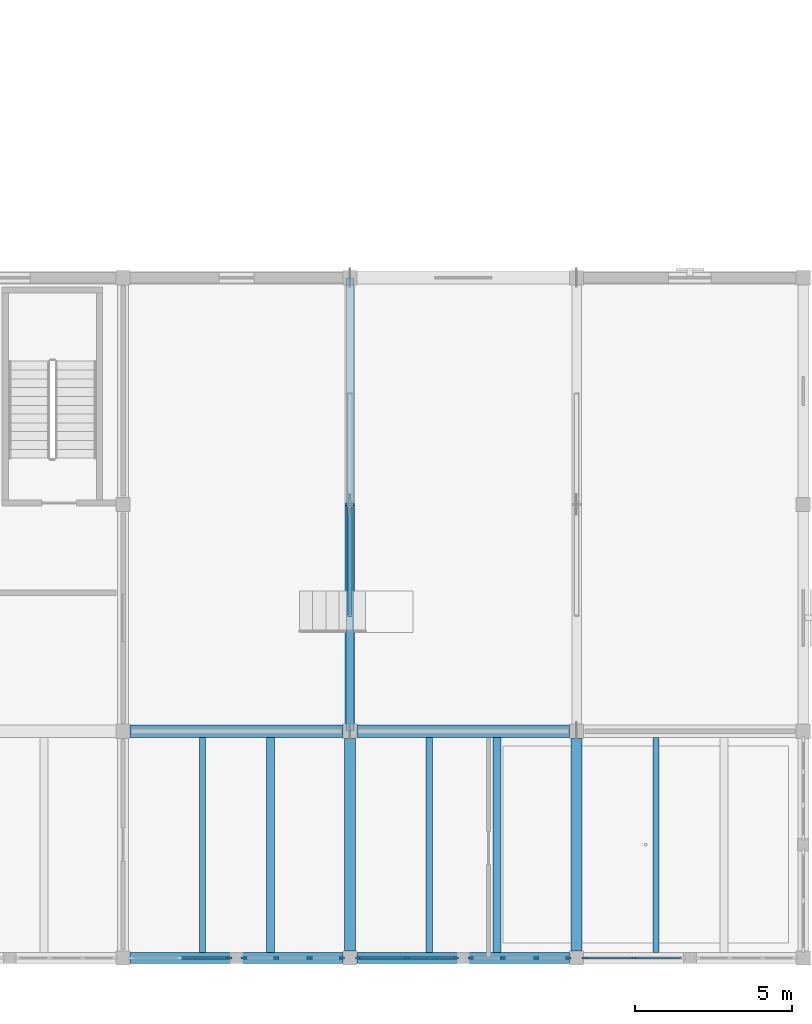
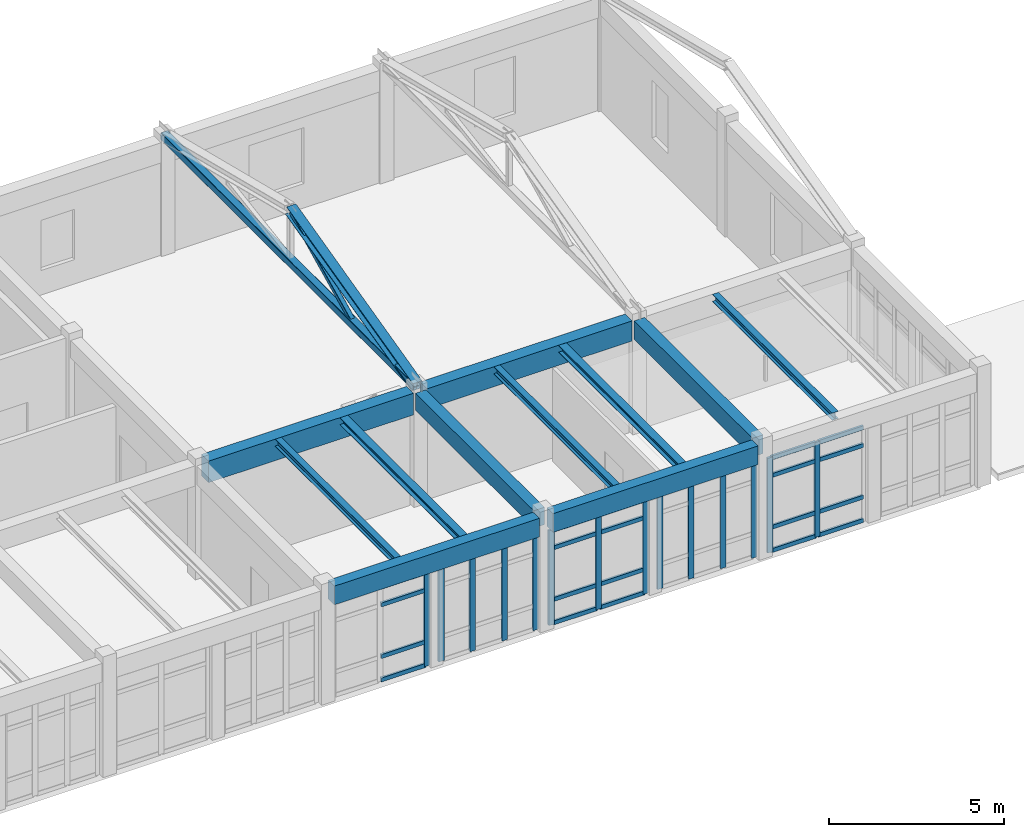
# One storey, part 8 of 136: 37 members, 11 beams, 5 elements without a shape of their own.
"""IFC4 building model written with IfcOpenShell, lengths in metres."""

import ifcopenshell
import ifcopenshell.guid

model = None  # the IFC model being written
_history = None  # IfcOwnerHistory: only IFC2X3 demands one
_inside = {}  # id of a spatial element -> (the spatial element, [elements in it])
_under = {}  # id of a project, library or spatial element -> (it, [spatial elements below it])
_declared = {}  # id of a project -> (the project, [libraries it declares])
_typed = {}  # id of a type object -> (the type object, [elements of that type])
_made_of = {}  # id of a material, layer set ... -> (it, [elements and type objects made of it])


def new_model(schema):
    """Start an empty IFC model of exactly this schema.

    Asked for "IFC4X3", IfcOpenShell would pick the latest addendum, in which some entities
    have other attributes; the version numbers below select the first issue.
    IFC2X3 requires an IfcOwnerHistory on every rooted entity: one is made here for all.
    """
    global model, _history
    if schema == "IFC4X3":
        model = ifcopenshell.file(schema_version=(4, 3, 0, 0))
    else:
        model = ifcopenshell.file(schema=schema)
    _inside.clear()
    _under.clear()
    _declared.clear()
    _typed.clear()
    _made_of.clear()
    _history = None
    if model.schema == "IFC2X3":
        org = make("IfcOrganization", Name="unknown")
        user = make(
            "IfcPersonAndOrganization",
            ThePerson=make("IfcPerson", FamilyName="unknown"),
            TheOrganization=org,
        )
        app = make(
            "IfcApplication",
            ApplicationDeveloper=org,
            Version="unknown",
            ApplicationFullName="unknown",
            ApplicationIdentifier="unknown",
        )
        _history = make(
            "IfcOwnerHistory",
            OwningUser=user,
            OwningApplication=app,
            ChangeAction="ADDED",
            CreationDate=0,
        )
    return model


def make(cls, **values):
    """One entity of the class cls with the attributes given. An attribute that is None is left unset."""
    return model.create_entity(
        cls, **{name: value for name, value in values.items() if value is not None}
    )


def rooted(cls, **values):
    """An entity with a GlobalId (a new one), such as an element, a storey or a relation."""
    return make(cls, GlobalId=ifcopenshell.guid.new(), OwnerHistory=_history, **values)


def si_unit(unit_type, name, prefix=None):
    """IfcSIUnit, for example si_unit("LENGTHUNIT", "METRE", prefix="MILLI")."""
    return make("IfcSIUnit", UnitType=unit_type, Prefix=prefix, Name=name)


def assignment(units):
    """IfcUnitAssignment: the units of a project."""
    return None if units is None else make("IfcUnitAssignment", Units=units)


def point(xyz):
    """IfcCartesianPoint."""
    return None if xyz is None else make("IfcCartesianPoint", Coordinates=xyz)


def direction(xyz):
    """IfcDirection."""
    return None if xyz is None else make("IfcDirection", DirectionRatios=xyz)


def frame(location, z_axis=None, x_axis=None):
    """IfcAxis2Placement3D, a coordinate frame: its origin and axes. An axis left out is left unset."""
    return make(
        "IfcAxis2Placement3D",
        Location=point(location),
        Axis=direction(z_axis),
        RefDirection=direction(x_axis),
    )


def frame_2d(location, x_axis=None):
    """IfcAxis2Placement2D, a coordinate frame in the plane: its origin and x axis."""
    return make(
        "IfcAxis2Placement2D", Location=point(location), RefDirection=direction(x_axis)
    )


def origin():
    """The frame at (0, 0, 0) with its axes left unset."""
    return frame((0.0, 0.0, 0.0))


def origin_2d():
    """The frame at (0, 0) in the plane with its x axis left unset."""
    return frame_2d((0.0, 0.0))


def place(relative_to, where):
    """IfcLocalPlacement: puts the frame where relative to a parent placement (None: the world)."""
    return make(
        "IfcLocalPlacement", PlacementRelTo=relative_to, RelativePlacement=where
    )


def context(
    kind, dimensions, precision=None, world=None, true_north=None, identifier=None
):
    """IfcGeometricRepresentationContext, for example the 3D "Model" context."""
    return make(
        "IfcGeometricRepresentationContext",
        ContextIdentifier=identifier,
        ContextType=kind,
        CoordinateSpaceDimension=dimensions,
        Precision=precision,
        WorldCoordinateSystem=world,
        TrueNorth=true_north,
    )


def subcontext(parent, identifier, kind, view, scale=None):
    """IfcGeometricRepresentationSubContext, for example "Body" below "Model"."""
    return make(
        "IfcGeometricRepresentationSubContext",
        ContextIdentifier=identifier,
        ContextType=kind,
        ParentContext=parent,
        TargetScale=scale,
        TargetView=view,
    )


def project(units=None, contexts=None):
    """IfcProject with its units and contexts."""
    return rooted(
        "IfcProject",
        Name="project",
        RepresentationContexts=contexts,
        UnitsInContext=assignment(units),
    )


def spatial(cls, under=None, at=None, **own):
    """A site, building, storey or space (cls), placed at a placement, below another one or the project."""
    s = rooted(cls, ObjectPlacement=at, **own)
    if under is not None:
        _under.setdefault(under.id(), (under, []))[1].append(s)
    return s


def profile(cls, at=None, kind="AREA", **sizes):
    """A parametric profile (cls). Its sizes go by their IFC names, for example OverallWidth=200.0."""
    return make(cls, ProfileType=kind, Position=at, **sizes)


def rectangle(**sizes):
    """IfcRectangleProfileDef."""
    return profile("IfcRectangleProfileDef", **sizes)


def hollow_rectangle(**sizes):
    """IfcRectangleHollowProfileDef."""
    return profile("IfcRectangleHollowProfileDef", **sizes)


def i_section(**sizes):
    """IfcIShapeProfileDef."""
    return profile("IfcIShapeProfileDef", **sizes)


def extrude(swept, where, along, depth):
    """IfcExtrudedAreaSolid: the profile swept, set in the frame where, extruded along a direction by depth."""
    return make(
        "IfcExtrudedAreaSolid",
        SweptArea=swept,
        Position=where,
        ExtrudedDirection=direction(along),
        Depth=depth,
    )


def shape(context_of_items, identifier, shape_type, items):
    """IfcShapeRepresentation: the items that make up one representation, for example the "Body"."""
    return make(
        "IfcShapeRepresentation",
        ContextOfItems=context_of_items,
        RepresentationIdentifier=identifier,
        RepresentationType=shape_type,
        Items=items,
    )


def material(Name=None, Category=None):
    """IfcMaterial."""
    return make("IfcMaterial", Name=Name, Category=Category)


def layer(
    of_material, thickness, ventilated=None, Name=None, Category=None, Priority=None
):
    """IfcMaterialLayer: one layer of a wall or slab, of a material (None: an air gap)."""
    return make(
        "IfcMaterialLayer",
        Material=of_material,
        LayerThickness=thickness,
        IsVentilated=ventilated,
        Name=Name,
        Category=Category,
        Priority=Priority,
    )


def layer_set(layers, Name=None):
    """IfcMaterialLayerSet."""
    return make("IfcMaterialLayerSet", MaterialLayers=layers, LayerSetName=Name)


def material_profile(
    of_material, cross_section, Name=None, Category=None, Priority=None
):
    """IfcMaterialProfile: a cross section and its material."""
    return make(
        "IfcMaterialProfile",
        Name=Name,
        Material=of_material,
        Profile=cross_section,
        Priority=Priority,
        Category=Category,
    )


def profile_set(profiles, Name=None, composite=None):
    """IfcMaterialProfileSet."""
    return make(
        "IfcMaterialProfileSet",
        Name=Name,
        MaterialProfiles=profiles,
        CompositeProfile=composite,
    )


def made_of(thing, what):
    """Note that an element or type object is made of a material, layer set ...; save() writes the relation."""
    if what is not None:
        _made_of.setdefault(what.id(), (what, []))[1].append(thing)
    return thing


def type_object(cls, material=None, **own):
    """A type object (cls), such as IfcWallType, which elements share."""
    return made_of(rooted(cls, **own), material)


def element(
    cls,
    number,
    at=None,
    inside=None,
    cuts=None,
    type_object=None,
    material=None,
    context=None,
    identifier="Body",
    shape_type=None,
    held_by="IfcProductDefinitionShape",
    body=None,
    shapes=None,
    **own,
):
    """One element of the class cls, such as IfcWall. Its Tag is "e" and its number.

    at: its placement. inside: the storey or other place that contains it. cuts: it is an
    opening in that element (IfcRelVoidsElement). A single representation is given by context,
    identifier, shape_type and body (its items); several are given by shapes. held_by: the class
    of the entity that holds the representations. save() writes the other relations.
    """
    e = rooted(cls, Tag="e%d" % number, ObjectPlacement=at, **own)
    if body is not None:
        shapes = [shape(context, identifier, shape_type, body)]
    if shapes is not None:
        e.Representation = make(held_by, Representations=shapes)
    if inside is not None:
        _inside.setdefault(inside.id(), (inside, []))[1].append(e)
    if cuts is not None:
        rooted(
            "IfcRelVoidsElement", RelatingBuildingElement=cuts, RelatedOpeningElement=e
        )
    if type_object is not None:
        _typed.setdefault(type_object.id(), (type_object, []))[1].append(e)
    return made_of(e, material)


def aggregate(whole, parts):
    """IfcRelAggregates: a whole, such as a stair, and the parts it consists of."""
    return rooted("IfcRelAggregates", RelatingObject=whole, RelatedObjects=parts)


def save(model, path):
    """Write the relations noted so far, then the file.

    IfcRelAggregates (storeys below a building ...), IfcRelContainedInSpatialStructure (elements
    in a storey), IfcRelDefinesByType, IfcRelAssociatesMaterial and IfcRelDeclares: one each for
    every whole, place, type object, material and project.
    """
    for whole, parts in _under.values():
        aggregate(whole, parts)
    for where, things in _inside.values():
        rooted(
            "IfcRelContainedInSpatialStructure",
            RelatedElements=things,
            RelatingStructure=where,
        )
    for kind, things in _typed.values():
        rooted("IfcRelDefinesByType", RelatedObjects=things, RelatingType=kind)
    for what, things in _made_of.values():
        rooted("IfcRelAssociatesMaterial", RelatedObjects=things, RelatingMaterial=what)
    for by, libraries in _declared.values():
        rooted("IfcRelDeclares", RelatingContext=by, RelatedDefinitions=libraries)
    model.write(path)


model = new_model("IFC4")

# Units and contexts
model_context = context("Model", 3, precision=1e-05, world=origin(), true_north=direction((0.0, 1.0)))
body_context = subcontext(model_context, "Body", "Model", "MODEL_VIEW")
ifc_project = project(units=[si_unit("LENGTHUNIT", "METRE"), si_unit("AREAUNIT", "SQUARE_METRE"), si_unit("VOLUMEUNIT", "CUBIC_METRE"), si_unit("PLANEANGLEUNIT", "RADIAN"), si_unit("MASSUNIT", "GRAM", prefix="KILO")], contexts=[model_context])

# Site, building, storey
site_placement = place(None, origin())
site = spatial("IfcSite", under=ifc_project, at=site_placement, CompositionType="ELEMENT")
building_placement = place(site_placement, origin())
building = spatial("IfcBuilding", under=site, at=building_placement, Name="Koriwan Promenade Central Fire Station", CompositionType="ELEMENT")
storey_placement = place(building_placement, frame((0.0, 0.0, 5.39990234375)))
storey = spatial("IfcBuildingStorey", under=building, at=storey_placement, Name="L01", CompositionType="ELEMENT", Elevation=5.39990234375)

# Beams
ifc_material_1 = material(Name="Concrete C35/45", Category="concrete")
ifc_material_profile_1 = material_profile(ifc_material_1, rectangle(XDim=0.35009765625, YDim=0.60009765625, at=origin_2d()), Name="RC-BM-350x600")
ifc_profile_set_1 = profile_set([ifc_material_profile_1], Name="Concrete C35/45")
beam_type_1 = type_object("IfcBeamType", Name="Beam_RC-BM-350x600", PredefinedType="BEAM", material=ifc_profile_set_1)
beam_1_placement = place(storey_placement, frame((21.60009765625, 0.22509765625, 3.66015625), z_axis=(0.0, 1.0, 0.0), x_axis=(-1.0, 0.0, 0.0)))
element("IfcBeam", 1, at=beam_1_placement, inside=storey, type_object=beam_type_1, Name="V3 L01 girder Y-294", PredefinedType="BEAM", context=body_context, shape_type="SweptSolid", body=[
    extrude(rectangle(XDim=0.35009765625, YDim=0.60009765625, at=origin_2d()), origin(), (0.0, 0.0, 1.0), 6.75),
])
ifc_material_profile_2 = material_profile(ifc_material_1, rectangle(XDim=0.35009765625, YDim=0.64990234375, at=origin_2d()), Name="RC-BM-350x650")
ifc_profile_set_2 = profile_set([ifc_material_profile_2], Name="Concrete C35/45")
beam_type_2 = type_object("IfcBeamType", Name="Beam_RC-BM-350x650", PredefinedType="BEAM", material=ifc_profile_set_2)
beam_2_placement = place(storey_placement, frame((28.800048828125, 0.22509765625, 3.635009765625), z_axis=(0.0, 1.0, 0.0), x_axis=(-1.0, 0.0, 0.0)))
element("IfcBeam", 2, at=beam_2_placement, inside=storey, type_object=beam_type_2, Name="V3 L01 girder Y-295", PredefinedType="BEAM", context=body_context, shape_type="SweptSolid", body=[
    extrude(rectangle(XDim=0.35009765625, YDim=0.64990234375, at=origin_2d()), origin(), (0.0, 0.0, 1.0), 6.75),
])
ifc_material_profile_3 = material_profile(ifc_material_1, rectangle(XDim=0.39990234375, YDim=0.699951171875, at=origin_2d()), Name="RC-BM-400x700")
ifc_profile_set_3 = profile_set([ifc_material_profile_3], Name="Concrete C35/45")
beam_type_3 = type_object("IfcBeamType", Name="Beam_RC-BM-400x700", PredefinedType="BEAM", material=ifc_profile_set_3)
beam_3_placement = place(storey_placement, frame((21.824951171875, 7.199951171875, 3.610107421875), z_axis=(1.0, 0.0, 0.0), x_axis=(0.0, 1.0, 0.0)))
element("IfcBeam", 3, at=beam_3_placement, inside=storey, type_object=beam_type_3, Name="V3 L01 girder X-278", PredefinedType="BEAM", context=body_context, shape_type="SweptSolid", body=[
    extrude(rectangle(XDim=0.39990234375, YDim=0.699951171875, at=origin_2d()), origin(), (0.0, 0.0, 1.0), 6.75),
])
ifc_material_profile_4 = material_profile(ifc_material_1, rectangle(XDim=0.39990234375, YDim=0.75, at=origin_2d()), Name="RC-BM-400x750")
ifc_profile_set_4 = profile_set([ifc_material_profile_4], Name="Concrete C35/45")
beam_type_4 = type_object("IfcBeamType", Name="Beam_RC-BM-400x750", PredefinedType="BEAM", material=ifc_profile_set_4)
beam_4_placement = place(storey_placement, frame((14.625, 7.199951171875, 3.585205078125), z_axis=(1.0, 0.0, 0.0), x_axis=(0.0, 1.0, 0.0)))
element("IfcBeam", 4, at=beam_4_placement, inside=storey, type_object=beam_type_4, Name="V3 L01 girder X-277", PredefinedType="BEAM", context=body_context, shape_type="SweptSolid", body=[
    extrude(rectangle(XDim=0.39990234375, YDim=0.75, at=origin_2d()), origin(), (0.0, 0.0, 1.0), 6.75),
])
ifc_material_profile_5 = material_profile(ifc_material_1, rectangle(XDim=0.35009765625, YDim=0.64990234375, at=origin_2d()), Name="RC-SP-350x650")
ifc_profile_set_5 = profile_set([ifc_material_profile_5], Name="Concrete C35/45")
beam_type_5 = type_object("IfcBeamType", Name="Beam_RC-SP-350x650", PredefinedType="SPANDREL", material=ifc_profile_set_5)
for number, where, z_axis, x_axis, name in (
    (5, (14.625, 0.0, 3.635009765625), (1.0, 0.0, 0.0), (0.0, 1.0, 0.0), "V3 L01 girder X-272"),
    (6, (21.824951171875, 0.0, 3.635009765625), (1.0, 0.0, 0.0), (0.0, 1.0, 0.0), "V3 L01 girder X-273"),
):
    element("IfcBeam", number, at=place(storey_placement, frame(where, z_axis=z_axis, x_axis=x_axis)), inside=storey, type_object=beam_type_5, Name=name, PredefinedType="SPANDREL", context=body_context, shape_type="SweptSolid", body=[
        extrude(rectangle(XDim=0.35009765625, YDim=0.64990234375, at=origin_2d()), origin(), (0.0, 0.0, 1.0), 6.75),
    ])

# Curtain wall, member
ifc_material_2 = material(Name="Aluminium EN AW-6063-T6 and low-E glazing", Category="aluminium")
ifc_layer_1 = layer(ifc_material_2, 0.159912109375, Name="Aluminium EN AW-6063-T6 and low-E glazing")
ifc_layer_set_1 = layer_set([ifc_layer_1], Name="Aluminium EN AW-6063-T6 and low-E glazing")
curtain_wall_type_1 = type_object("IfcCurtainWallType", Name="CurtainWall_30_318x330", PredefinedType="USERDEFINED", material=ifc_layer_set_1)
curtain_wall_1_placement = place(storey_placement, origin())
curtain_wall_1 = element("IfcCurtainWall", 7, at=curtain_wall_1_placement, inside=storey, type_object=curtain_wall_type_1, Name="V3 L01 unitised curtain wall 075", ObjectType="UNITISED CURTAIN WALL", PredefinedType="USERDEFINED")
ifc_material_3 = material(Name="Aluminium EN AW-6063-T6", Category="aluminium")
ifc_material_profile_6 = material_profile(ifc_material_3, rectangle(XDim=0.074951171875, YDim=0.179931640625, at=origin_2d()), Name="ALU-MUL-75x180")
ifc_profile_set_6 = profile_set([ifc_material_profile_6], Name="Aluminium EN AW-6063-T6")
member_type_1 = type_object("IfcMemberType", Name="CWMullion_ALU-MUL-75x180", PredefinedType="MULLION", material=ifc_profile_set_6)
member_1_placement = place(storey_placement, frame((17.762451171875, 0.0, 0.0), z_axis=(0.0, 0.0, 1.0), x_axis=(0.0, 1.0, 0.0)))
member_1 = element("IfcMember", 8, at=member_1_placement, type_object=member_type_1, Name="CW-30 mullion 3", PredefinedType="MULLION", context=body_context, shape_type="SweptSolid", body=[
    extrude(rectangle(XDim=0.074951171875, YDim=0.179931640625, at=origin_2d()), origin(), (0.0, 0.0, 1.0), 3.300048828125),
])

# Curtain wall, members
ifc_layer_2 = layer(ifc_material_2, 0.159912109375, Name="Aluminium EN AW-6063-T6 and low-E glazing")
ifc_layer_set_2 = layer_set([ifc_layer_2], Name="Aluminium EN AW-6063-T6 and low-E glazing")
curtain_wall_type_2 = type_object("IfcCurtainWallType", Name="CurtainWall_31_318x330", PredefinedType="USERDEFINED", material=ifc_layer_set_2)
curtain_wall_2_placement = place(storey_placement, origin())
curtain_wall_2 = element("IfcCurtainWall", 9, at=curtain_wall_2_placement, inside=storey, type_object=curtain_wall_type_2, Name="V3 L01 unitised curtain wall 076", ObjectType="UNITISED CURTAIN WALL", PredefinedType="USERDEFINED")
member_2_placement = place(storey_placement, frame((18.237548828125, 0.0, 0.0), z_axis=(0.0, 0.0, 1.0), x_axis=(0.0, 1.0, 0.0)))
member_2 = element("IfcMember", 10, at=member_2_placement, type_object=member_type_1, Name="CW-31 mullion 1", PredefinedType="MULLION", context=body_context, shape_type="SweptSolid", body=[
    extrude(rectangle(XDim=0.074951171875, YDim=0.179931640625, at=origin_2d()), origin(), (0.0, 0.0, 1.0), 3.300048828125),
])
member_3_placement = place(storey_placement, frame((19.25830078125, 0.0, 0.0), z_axis=(0.0, 0.0, 1.0), x_axis=(0.0, 1.0, 0.0)))
member_3 = element("IfcMember", 11, at=member_3_placement, type_object=member_type_1, Name="CW-31 mullion 2", PredefinedType="MULLION", context=body_context, shape_type="SweptSolid", body=[
    extrude(rectangle(XDim=0.074951171875, YDim=0.179931640625, at=origin_2d()), origin(), (0.0, 0.0, 1.0), 3.300048828125),
])
member_4_placement = place(storey_placement, frame((20.316650390625, 0.0, 0.0), z_axis=(0.0, 0.0, 1.0), x_axis=(0.0, 1.0, 0.0)))
member_4 = element("IfcMember", 12, at=member_4_placement, type_object=member_type_1, Name="CW-31 mullion 3", PredefinedType="MULLION", context=body_context, shape_type="SweptSolid", body=[
    extrude(rectangle(XDim=0.074951171875, YDim=0.179931640625, at=origin_2d()), origin(), (0.0, 0.0, 1.0), 3.300048828125),
])
member_5_placement = place(storey_placement, frame((21.33740234375, 0.0, 0.0), z_axis=(0.0, 0.0, 1.0), x_axis=(0.0, 1.0, 0.0)))
member_5 = element("IfcMember", 13, at=member_5_placement, type_object=member_type_1, Name="CW-31 mullion 4", PredefinedType="MULLION", context=body_context, shape_type="SweptSolid", body=[
    extrude(rectangle(XDim=0.074951171875, YDim=0.179931640625, at=origin_2d()), origin(), (0.0, 0.0, 1.0), 3.300048828125),
])
aggregate(curtain_wall_2, [member_2, member_3, member_4, member_5])

curtain_wall_3_placement = place(storey_placement, origin())
curtain_wall_3 = element("IfcCurtainWall", 14, at=curtain_wall_3_placement, inside=storey, type_object=curtain_wall_type_1, Name="V3 L01 unitised curtain wall 077", ObjectType="UNITISED CURTAIN WALL", PredefinedType="USERDEFINED")
member_6_placement = place(storey_placement, frame((21.862548828125, 0.0, 0.0), z_axis=(0.0, 0.0, 1.0), x_axis=(0.0, 1.0, 0.0)))
member_6 = element("IfcMember", 15, at=member_6_placement, type_object=member_type_1, Name="CW-30 mullion 1", PredefinedType="MULLION", context=body_context, shape_type="SweptSolid", body=[
    extrude(rectangle(XDim=0.074951171875, YDim=0.179931640625, at=origin_2d()), origin(), (0.0, 0.0, 1.0), 3.300048828125),
])
member_7_placement = place(storey_placement, frame((23.41259765625, 0.0, 0.0), z_axis=(0.0, 0.0, 1.0), x_axis=(0.0, 1.0, 0.0)))
member_7 = element("IfcMember", 16, at=member_7_placement, type_object=member_type_1, Name="CW-30 mullion 2", PredefinedType="MULLION", context=body_context, shape_type="SweptSolid", body=[
    extrude(rectangle(XDim=0.074951171875, YDim=0.179931640625, at=origin_2d()), origin(), (0.0, 0.0, 1.0), 3.300048828125),
])
member_8_placement = place(storey_placement, frame((24.96240234375, 0.0, 0.0), z_axis=(0.0, 0.0, 1.0), x_axis=(0.0, 1.0, 0.0)))
member_8 = element("IfcMember", 17, at=member_8_placement, type_object=member_type_1, Name="CW-30 mullion 3", PredefinedType="MULLION", context=body_context, shape_type="SweptSolid", body=[
    extrude(rectangle(XDim=0.074951171875, YDim=0.179931640625, at=origin_2d()), origin(), (0.0, 0.0, 1.0), 3.300048828125),
])

curtain_wall_4_placement = place(storey_placement, origin())
curtain_wall_4 = element("IfcCurtainWall", 18, at=curtain_wall_4_placement, inside=storey, type_object=curtain_wall_type_2, Name="V3 L01 unitised curtain wall 078", ObjectType="UNITISED CURTAIN WALL", PredefinedType="USERDEFINED")
member_9_placement = place(storey_placement, frame((25.4375, 0.0, 0.0), z_axis=(0.0, 0.0, 1.0), x_axis=(0.0, 1.0, 0.0)))
member_9 = element("IfcMember", 19, at=member_9_placement, type_object=member_type_1, Name="CW-31 mullion 1", PredefinedType="MULLION", context=body_context, shape_type="SweptSolid", body=[
    extrude(rectangle(XDim=0.074951171875, YDim=0.179931640625, at=origin_2d()), origin(), (0.0, 0.0, 1.0), 3.300048828125),
])
member_10_placement = place(storey_placement, frame((26.458251953125, 0.0, 0.0), z_axis=(0.0, 0.0, 1.0), x_axis=(0.0, 1.0, 0.0)))
member_10 = element("IfcMember", 20, at=member_10_placement, type_object=member_type_1, Name="CW-31 mullion 2", PredefinedType="MULLION", context=body_context, shape_type="SweptSolid", body=[
    extrude(rectangle(XDim=0.074951171875, YDim=0.179931640625, at=origin_2d()), origin(), (0.0, 0.0, 1.0), 3.300048828125),
])
member_11_placement = place(storey_placement, frame((27.5166015625, 0.0, 0.0), z_axis=(0.0, 0.0, 1.0), x_axis=(0.0, 1.0, 0.0)))
member_11 = element("IfcMember", 21, at=member_11_placement, type_object=member_type_1, Name="CW-31 mullion 3", PredefinedType="MULLION", context=body_context, shape_type="SweptSolid", body=[
    extrude(rectangle(XDim=0.074951171875, YDim=0.179931640625, at=origin_2d()), origin(), (0.0, 0.0, 1.0), 3.300048828125),
])
member_12_placement = place(storey_placement, frame((28.53759765625, 0.0, 0.0), z_axis=(0.0, 0.0, 1.0), x_axis=(0.0, 1.0, 0.0)))
member_12 = element("IfcMember", 22, at=member_12_placement, type_object=member_type_1, Name="CW-31 mullion 4", PredefinedType="MULLION", context=body_context, shape_type="SweptSolid", body=[
    extrude(rectangle(XDim=0.074951171875, YDim=0.179931640625, at=origin_2d()), origin(), (0.0, 0.0, 1.0), 3.300048828125),
])
aggregate(curtain_wall_4, [member_9, member_10, member_11, member_12])

curtain_wall_5_placement = place(storey_placement, origin())
curtain_wall_5 = element("IfcCurtainWall", 23, at=curtain_wall_5_placement, inside=storey, type_object=curtain_wall_type_1, Name="V3 L01 unitised curtain wall 079", ObjectType="UNITISED CURTAIN WALL", PredefinedType="USERDEFINED")
member_13_placement = place(storey_placement, frame((29.0625, 0.0, 0.0), z_axis=(0.0, 0.0, 1.0), x_axis=(0.0, 1.0, 0.0)))
member_13 = element("IfcMember", 24, at=member_13_placement, type_object=member_type_1, Name="CW-30 mullion 1", PredefinedType="MULLION", context=body_context, shape_type="SweptSolid", body=[
    extrude(rectangle(XDim=0.074951171875, YDim=0.179931640625, at=origin_2d()), origin(), (0.0, 0.0, 1.0), 3.300048828125),
])
member_14_placement = place(storey_placement, frame((30.612548828125, 0.0, 0.0), z_axis=(0.0, 0.0, 1.0), x_axis=(0.0, 1.0, 0.0)))
member_14 = element("IfcMember", 25, at=member_14_placement, type_object=member_type_1, Name="CW-30 mullion 2", PredefinedType="MULLION", context=body_context, shape_type="SweptSolid", body=[
    extrude(rectangle(XDim=0.074951171875, YDim=0.179931640625, at=origin_2d()), origin(), (0.0, 0.0, 1.0), 3.300048828125),
])

# Member
ifc_material_profile_7 = material_profile(ifc_material_3, rectangle(XDim=0.074951171875, YDim=0.139892578125, at=origin_2d()), Name="ALU-TRN-75x140")
ifc_profile_set_7 = profile_set([ifc_material_profile_7], Name="Aluminium EN AW-6063-T6")
member_type_2 = type_object("IfcMemberType", Name="CWTransom_ALU-TRN-75x140", PredefinedType="USERDEFINED", material=ifc_profile_set_7)
member_15_placement = place(storey_placement, frame((16.25, 0.0, 0.03759765625), z_axis=(1.0, 0.0, 0.0), x_axis=(0.0, 1.0, 0.0)))
member_15 = element("IfcMember", 26, at=member_15_placement, type_object=member_type_2, Name="CW-30 transom 2.1", ObjectType="TRANSOM", PredefinedType="USERDEFINED", context=body_context, shape_type="SweptSolid", body=[
    extrude(rectangle(XDim=0.074951171875, YDim=0.139892578125, at=origin_2d()), origin(), (0.0, 0.0, 1.0), 1.47509765625),
])

member_16_placement = place(storey_placement, frame((16.25, 0.0, 0.85009765625), z_axis=(1.0, 0.0, 0.0), x_axis=(0.0, 1.0, 0.0)))
member_16 = element("IfcMember", 27, at=member_16_placement, type_object=member_type_2, Name="CW-30 transom 2.2", ObjectType="TRANSOM", PredefinedType="USERDEFINED", context=body_context, shape_type="SweptSolid", body=[
    extrude(rectangle(XDim=0.074951171875, YDim=0.139892578125, at=origin_2d()), origin(), (0.0, 0.0, 1.0), 1.47509765625),
])

member_17_placement = place(storey_placement, frame((16.25, 0.0, 2.650146484375), z_axis=(1.0, 0.0, 0.0), x_axis=(0.0, 1.0, 0.0)))
member_17 = element("IfcMember", 28, at=member_17_placement, type_object=member_type_2, Name="CW-30 transom 2.3", ObjectType="TRANSOM", PredefinedType="USERDEFINED", context=body_context, shape_type="SweptSolid", body=[
    extrude(rectangle(XDim=0.074951171875, YDim=0.139892578125, at=origin_2d()), origin(), (0.0, 0.0, 1.0), 1.47509765625),
])

member_18_placement = place(storey_placement, frame((16.25, 0.0, 3.2626953125), z_axis=(1.0, 0.0, 0.0), x_axis=(0.0, 1.0, 0.0)))
member_18 = element("IfcMember", 29, at=member_18_placement, type_object=member_type_2, Name="CW-30 transom 2.4", ObjectType="TRANSOM", PredefinedType="USERDEFINED", context=body_context, shape_type="SweptSolid", body=[
    extrude(rectangle(XDim=0.074951171875, YDim=0.139892578125, at=origin_2d()), origin(), (0.0, 0.0, 1.0), 1.47509765625),
])

aggregate(curtain_wall_1, [member_1, member_15, member_16, member_17, member_18])

member_19_placement = place(storey_placement, frame((21.89990234375, 0.0, 0.03759765625), z_axis=(1.0, 0.0, 0.0), x_axis=(0.0, 1.0, 0.0)))
member_19 = element("IfcMember", 30, at=member_19_placement, type_object=member_type_2, Name="CW-30 transom 1.1", ObjectType="TRANSOM", PredefinedType="USERDEFINED", context=body_context, shape_type="SweptSolid", body=[
    extrude(rectangle(XDim=0.074951171875, YDim=0.139892578125, at=origin_2d()), origin(), (0.0, 0.0, 1.0), 1.47509765625),
])

member_20_placement = place(storey_placement, frame((21.89990234375, 0.0, 0.85009765625), z_axis=(1.0, 0.0, 0.0), x_axis=(0.0, 1.0, 0.0)))
member_20 = element("IfcMember", 31, at=member_20_placement, type_object=member_type_2, Name="CW-30 transom 1.2", ObjectType="TRANSOM", PredefinedType="USERDEFINED", context=body_context, shape_type="SweptSolid", body=[
    extrude(rectangle(XDim=0.074951171875, YDim=0.139892578125, at=origin_2d()), origin(), (0.0, 0.0, 1.0), 1.47509765625),
])

member_21_placement = place(storey_placement, frame((21.89990234375, 0.0, 2.650146484375), z_axis=(1.0, 0.0, 0.0), x_axis=(0.0, 1.0, 0.0)))
member_21 = element("IfcMember", 32, at=member_21_placement, type_object=member_type_2, Name="CW-30 transom 1.3", ObjectType="TRANSOM", PredefinedType="USERDEFINED", context=body_context, shape_type="SweptSolid", body=[
    extrude(rectangle(XDim=0.074951171875, YDim=0.139892578125, at=origin_2d()), origin(), (0.0, 0.0, 1.0), 1.47509765625),
])

member_22_placement = place(storey_placement, frame((21.89990234375, 0.0, 3.2626953125), z_axis=(1.0, 0.0, 0.0), x_axis=(0.0, 1.0, 0.0)))
member_22 = element("IfcMember", 33, at=member_22_placement, type_object=member_type_2, Name="CW-30 transom 1.4", ObjectType="TRANSOM", PredefinedType="USERDEFINED", context=body_context, shape_type="SweptSolid", body=[
    extrude(rectangle(XDim=0.074951171875, YDim=0.139892578125, at=origin_2d()), origin(), (0.0, 0.0, 1.0), 1.47509765625),
])

member_23_placement = place(storey_placement, frame((23.449951171875, 0.0, 0.03759765625), z_axis=(1.0, 0.0, 0.0), x_axis=(0.0, 1.0, 0.0)))
member_23 = element("IfcMember", 34, at=member_23_placement, type_object=member_type_2, Name="CW-30 transom 2.1", ObjectType="TRANSOM", PredefinedType="USERDEFINED", context=body_context, shape_type="SweptSolid", body=[
    extrude(rectangle(XDim=0.074951171875, YDim=0.139892578125, at=origin_2d()), origin(), (0.0, 0.0, 1.0), 1.47509765625),
])

member_24_placement = place(storey_placement, frame((23.449951171875, 0.0, 0.85009765625), z_axis=(1.0, 0.0, 0.0), x_axis=(0.0, 1.0, 0.0)))
member_24 = element("IfcMember", 35, at=member_24_placement, type_object=member_type_2, Name="CW-30 transom 2.2", ObjectType="TRANSOM", PredefinedType="USERDEFINED", context=body_context, shape_type="SweptSolid", body=[
    extrude(rectangle(XDim=0.074951171875, YDim=0.139892578125, at=origin_2d()), origin(), (0.0, 0.0, 1.0), 1.47509765625),
])

member_25_placement = place(storey_placement, frame((23.449951171875, 0.0, 2.650146484375), z_axis=(1.0, 0.0, 0.0), x_axis=(0.0, 1.0, 0.0)))
member_25 = element("IfcMember", 36, at=member_25_placement, type_object=member_type_2, Name="CW-30 transom 2.3", ObjectType="TRANSOM", PredefinedType="USERDEFINED", context=body_context, shape_type="SweptSolid", body=[
    extrude(rectangle(XDim=0.074951171875, YDim=0.139892578125, at=origin_2d()), origin(), (0.0, 0.0, 1.0), 1.47509765625),
])

member_26_placement = place(storey_placement, frame((23.449951171875, 0.0, 3.2626953125), z_axis=(1.0, 0.0, 0.0), x_axis=(0.0, 1.0, 0.0)))
member_26 = element("IfcMember", 37, at=member_26_placement, type_object=member_type_2, Name="CW-30 transom 2.4", ObjectType="TRANSOM", PredefinedType="USERDEFINED", context=body_context, shape_type="SweptSolid", body=[
    extrude(rectangle(XDim=0.074951171875, YDim=0.139892578125, at=origin_2d()), origin(), (0.0, 0.0, 1.0), 1.47509765625),
])

aggregate(curtain_wall_3, [member_6, member_7, member_8, member_19, member_20, member_21, member_22, member_23, member_24, member_25, member_26])

member_27_placement = place(storey_placement, frame((29.10009765625, 0.0, 0.03759765625), z_axis=(1.0, 0.0, 0.0), x_axis=(0.0, 1.0, 0.0)))
member_27 = element("IfcMember", 38, at=member_27_placement, type_object=member_type_2, Name="CW-30 transom 1.1", ObjectType="TRANSOM", PredefinedType="USERDEFINED", context=body_context, shape_type="SweptSolid", body=[
    extrude(rectangle(XDim=0.074951171875, YDim=0.139892578125, at=origin_2d()), origin(), (0.0, 0.0, 1.0), 1.474853515625),
])

member_28_placement = place(storey_placement, frame((29.10009765625, 0.0, 0.85009765625), z_axis=(1.0, 0.0, 0.0), x_axis=(0.0, 1.0, 0.0)))
member_28 = element("IfcMember", 39, at=member_28_placement, type_object=member_type_2, Name="CW-30 transom 1.2", ObjectType="TRANSOM", PredefinedType="USERDEFINED", context=body_context, shape_type="SweptSolid", body=[
    extrude(rectangle(XDim=0.074951171875, YDim=0.139892578125, at=origin_2d()), origin(), (0.0, 0.0, 1.0), 1.474853515625),
])

member_29_placement = place(storey_placement, frame((29.10009765625, 0.0, 2.650146484375), z_axis=(1.0, 0.0, 0.0), x_axis=(0.0, 1.0, 0.0)))
member_29 = element("IfcMember", 40, at=member_29_placement, type_object=member_type_2, Name="CW-30 transom 1.3", ObjectType="TRANSOM", PredefinedType="USERDEFINED", context=body_context, shape_type="SweptSolid", body=[
    extrude(rectangle(XDim=0.074951171875, YDim=0.139892578125, at=origin_2d()), origin(), (0.0, 0.0, 1.0), 1.474853515625),
])

member_30_placement = place(storey_placement, frame((29.10009765625, 0.0, 3.2626953125), z_axis=(1.0, 0.0, 0.0), x_axis=(0.0, 1.0, 0.0)))
member_30 = element("IfcMember", 41, at=member_30_placement, type_object=member_type_2, Name="CW-30 transom 1.4", ObjectType="TRANSOM", PredefinedType="USERDEFINED", context=body_context, shape_type="SweptSolid", body=[
    extrude(rectangle(XDim=0.074951171875, YDim=0.139892578125, at=origin_2d()), origin(), (0.0, 0.0, 1.0), 1.474853515625),
])

member_31_placement = place(storey_placement, frame((30.64990234375, 0.0, 0.03759765625), z_axis=(1.0, 0.0, 0.0), x_axis=(0.0, 1.0, 0.0)))
member_31 = element("IfcMember", 42, at=member_31_placement, type_object=member_type_2, Name="CW-30 transom 2.1", ObjectType="TRANSOM", PredefinedType="USERDEFINED", context=body_context, shape_type="SweptSolid", body=[
    extrude(rectangle(XDim=0.074951171875, YDim=0.139892578125, at=origin_2d()), origin(), (0.0, 0.0, 1.0), 1.47509765625),
])

member_32_placement = place(storey_placement, frame((30.64990234375, 0.0, 0.85009765625), z_axis=(1.0, 0.0, 0.0), x_axis=(0.0, 1.0, 0.0)))
member_32 = element("IfcMember", 43, at=member_32_placement, type_object=member_type_2, Name="CW-30 transom 2.2", ObjectType="TRANSOM", PredefinedType="USERDEFINED", context=body_context, shape_type="SweptSolid", body=[
    extrude(rectangle(XDim=0.074951171875, YDim=0.139892578125, at=origin_2d()), origin(), (0.0, 0.0, 1.0), 1.47509765625),
])

member_33_placement = place(storey_placement, frame((30.64990234375, 0.0, 2.650146484375), z_axis=(1.0, 0.0, 0.0), x_axis=(0.0, 1.0, 0.0)))
member_33 = element("IfcMember", 44, at=member_33_placement, type_object=member_type_2, Name="CW-30 transom 2.3", ObjectType="TRANSOM", PredefinedType="USERDEFINED", context=body_context, shape_type="SweptSolid", body=[
    extrude(rectangle(XDim=0.074951171875, YDim=0.139892578125, at=origin_2d()), origin(), (0.0, 0.0, 1.0), 1.47509765625),
])

member_34_placement = place(storey_placement, frame((30.64990234375, 0.0, 3.2626953125), z_axis=(1.0, 0.0, 0.0), x_axis=(0.0, 1.0, 0.0)))
member_34 = element("IfcMember", 45, at=member_34_placement, type_object=member_type_2, Name="CW-30 transom 2.4", ObjectType="TRANSOM", PredefinedType="USERDEFINED", context=body_context, shape_type="SweptSolid", body=[
    extrude(rectangle(XDim=0.074951171875, YDim=0.139892578125, at=origin_2d()), origin(), (0.0, 0.0, 1.0), 1.47509765625),
])

aggregate(curtain_wall_5, [member_13, member_14, member_27, member_28, member_29, member_30, member_31, member_32, member_33, member_34])

# Members
ifc_material_4 = material(Name="Steel ASTM A500 Grade C", Category="steel")
ifc_material_profile_8 = material_profile(ifc_material_4, hollow_rectangle(XDim=0.25, YDim=0.25, WallThickness=0.011962890625, InnerFilletRadius=0.011962890625, OuterFilletRadius=0.02392578125, at=origin_2d()), Name="HSS250x250x12")
ifc_profile_set_8 = profile_set([ifc_material_profile_8], Name="Steel ASTM A500 Grade C")
member_type_3 = type_object("IfcMemberType", Name="Member_CHORD_HSS250x250x12", PredefinedType="CHORD", material=ifc_profile_set_8)
member_35_placement = place(storey_placement, frame((21.60009765625, 7.199951171875, 4.02001953125), z_axis=(0.0, 1.0, 0.0), x_axis=(-1.0, 0.0, 0.0)))
element("IfcMember", 46, at=member_35_placement, inside=storey, type_object=member_type_3, Name="TR_V3_02 bottom tie chord", PredefinedType="CHORD", context=body_context, shape_type="SweptSolid", body=[
    extrude(hollow_rectangle(XDim=0.25, YDim=0.25, WallThickness=0.011962890625, InnerFilletRadius=0.011962890625, OuterFilletRadius=0.02392578125, at=origin_2d()), origin(), (0.0, 0.0, 1.0), 14.400146484375),
])
ifc_material_5 = material(Name="Steel ASTM A992 Grade 50", Category="steel")
ifc_material_profile_9 = material_profile(ifc_material_5, i_section(OverallWidth=0.304931640625, OverallDepth=0.30810546875, WebThickness=0.010009765625, FlangeThickness=0.015380859375, FilletRadius=0.014892578125, at=origin_2d()), Name="W310x97")
ifc_profile_set_9 = profile_set([ifc_material_profile_9], Name="Steel ASTM A992 Grade 50")
member_type_4 = type_object("IfcMemberType", Name="Member_CHORD_W310x97", PredefinedType="CHORD", material=ifc_profile_set_9)
member_36_placement = place(storey_placement, frame((21.60009765625, 7.199951171875, 4.02001953125), z_axis=(0.0, 0.970457198254, 0.241273343651), x_axis=(-1.0, 0.0, 0.0)))
element("IfcMember", 47, at=member_36_placement, inside=storey, type_object=member_type_4, Name="TR_V3_02 south top chord", PredefinedType="CHORD", context=body_context, shape_type="SweptSolid", body=[
    extrude(i_section(OverallWidth=0.304931640625, OverallDepth=0.30810546875, WebThickness=0.010009765625, FlangeThickness=0.015380859375, FilletRadius=0.014892578125, at=origin_2d()), origin(), (0.0, 0.0, 1.0), 7.419189453125),
])
ifc_material_profile_10 = material_profile(ifc_material_4, hollow_rectangle(XDim=0.14990234375, YDim=0.14990234375, WallThickness=0.008056640625, InnerFilletRadius=0.008056640625, OuterFilletRadius=0.01611328125, at=origin_2d()), Name="HSS150x150x8")
ifc_profile_set_10 = profile_set([ifc_material_profile_10], Name="Steel ASTM A500 Grade C")
member_type_5 = type_object("IfcMemberType", Name="Member_STRUT_HSS150x150x8", PredefinedType="STRUT", material=ifc_profile_set_10)
member_37_placement = place(storey_placement, frame((21.60009765625, 10.8798828125, 4.070068359375), z_axis=(0.0, 0.897551673046, 0.44090928116), x_axis=(-1.0, 0.0, 0.0)))
element("IfcMember", 48, at=member_37_placement, inside=storey, type_object=member_type_5, Name="TR_V3_02 web diagonal 2", PredefinedType="STRUT", context=body_context, shape_type="SweptSolid", body=[
    extrude(hollow_rectangle(XDim=0.14990234375, YDim=0.14990234375, WallThickness=0.008056640625, InnerFilletRadius=0.008056640625, OuterFilletRadius=0.01611328125, at=origin_2d()), origin(), (0.0, 0.0, 1.0), 3.832763671875),
])

# Beams
ifc_material_profile_11 = material_profile(ifc_material_5, i_section(OverallWidth=0.202880859375, OverallDepth=0.251953125, WebThickness=0.008056640625, FlangeThickness=0.013427734375, FilletRadius=0.012939453125, at=origin_2d()), Name="W250x58")
ifc_profile_set_11 = profile_set([ifc_material_profile_11], Name="Steel ASTM A992 Grade 50")
beam_type_6 = type_object("IfcBeamType", Name="SteelBeam_W250x58", PredefinedType="JOIST", material=ifc_profile_set_11)
for number, where, z_axis, x_axis, name in (
    (49, (16.919921875, 0.175048828125, 3.833984375), (0.0, 1.0, 0.0), (-1.0, 0.0, 0.0), "V3 L01 secondary joist 303"),
    (50, (24.1201171875, 0.175048828125, 3.833984375), (0.0, 1.0, 0.0), (-1.0, 0.0, 0.0), "V3 L01 secondary joist 305"),
    (51, (31.320068359375, 0.175048828125, 3.833984375), (0.0, 1.0, 0.0), (-1.0, 0.0, 0.0), "V3 L01 secondary joist 307"),
):
    element("IfcBeam", number, at=place(storey_placement, frame(where, z_axis=z_axis, x_axis=x_axis)), inside=storey, type_object=beam_type_6, Name=name, PredefinedType="JOIST", context=body_context, shape_type="SweptSolid", body=[
        extrude(i_section(OverallWidth=0.202880859375, OverallDepth=0.251953125, WebThickness=0.008056640625, FlangeThickness=0.013427734375, FilletRadius=0.012939453125, at=origin_2d()), origin(), (0.0, 0.0, 1.0), 6.824951171875),
    ])
ifc_material_profile_12 = material_profile(ifc_material_5, i_section(OverallWidth=0.25390625, OverallDepth=0.2529296875, WebThickness=0.008544921875, FlangeThickness=0.01416015625, FilletRadius=0.012939453125, at=origin_2d()), Name="W250x73")
ifc_profile_set_12 = profile_set([ifc_material_profile_12], Name="Steel ASTM A992 Grade 50")
beam_type_7 = type_object("IfcBeamType", Name="SteelBeam_W250x73", PredefinedType="JOIST", material=ifc_profile_set_12)
for number, where, z_axis, x_axis, name in (
    (52, (19.080078125, 0.175048828125, 3.83349609375), (0.0, 1.0, 0.0), (-1.0, 0.0, 0.0), "V3 L01 secondary joist 304"),
    (53, (26.280029296875, 0.175048828125, 3.83349609375), (0.0, 1.0, 0.0), (-1.0, 0.0, 0.0), "V3 L01 secondary joist 306"),
):
    element("IfcBeam", number, at=place(storey_placement, frame(where, z_axis=z_axis, x_axis=x_axis)), inside=storey, type_object=beam_type_7, Name=name, PredefinedType="JOIST", context=body_context, shape_type="SweptSolid", body=[
        extrude(i_section(OverallWidth=0.25390625, OverallDepth=0.2529296875, WebThickness=0.008544921875, FlangeThickness=0.01416015625, FilletRadius=0.012939453125, at=origin_2d()), origin(), (0.0, 0.0, 1.0), 6.824951171875),
    ])

save(model, "model.ifc")
